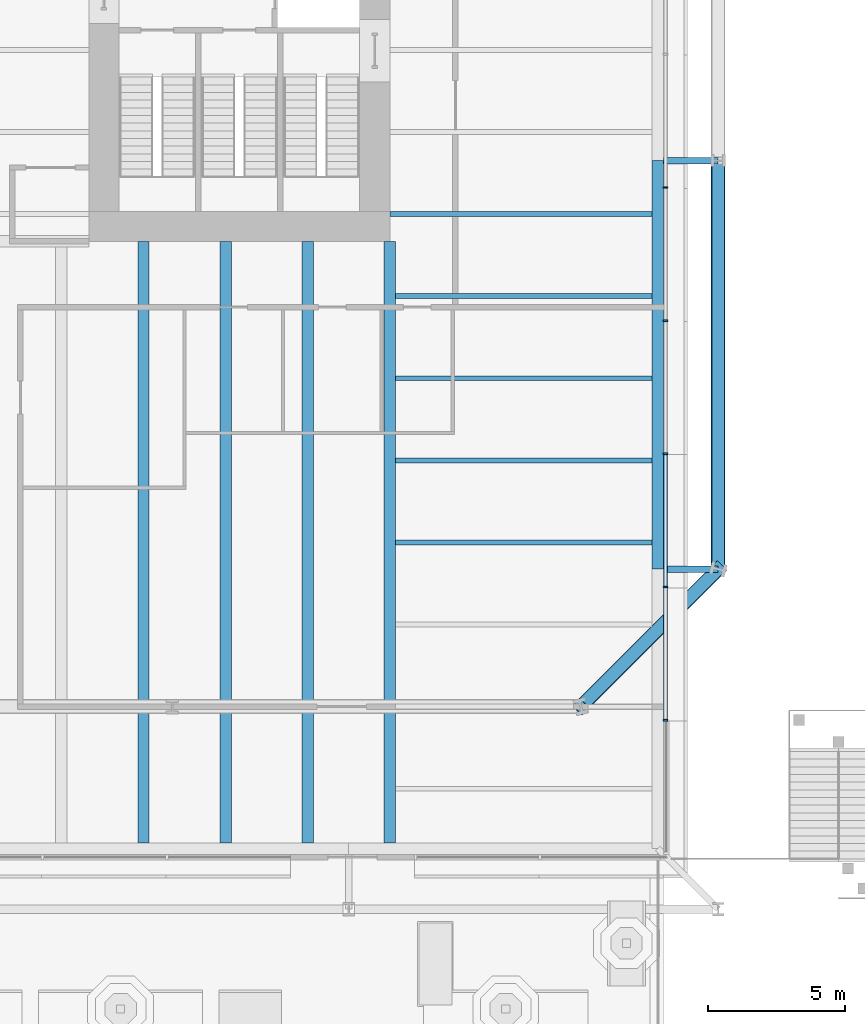
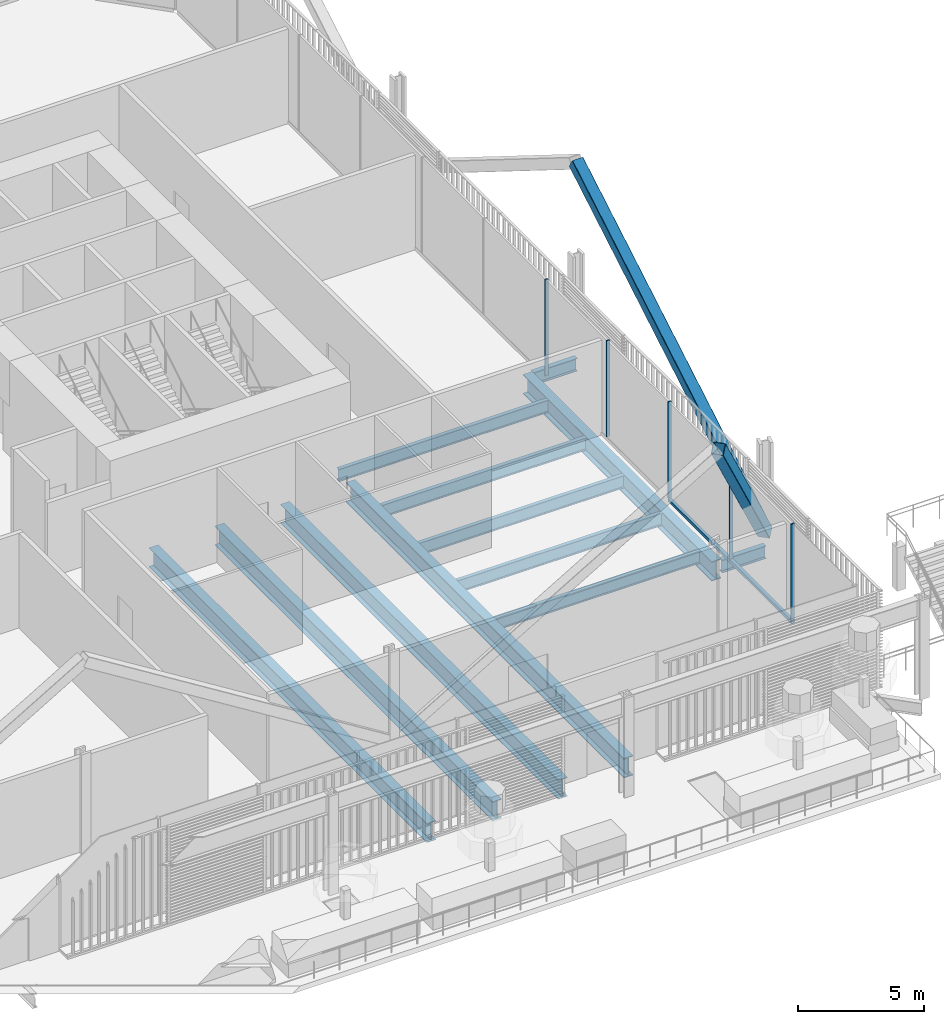
# One storey, part 6 of 26: 12 beams, 9 members, 2 elements without a shape of their own.
"""IFC4 building model written with IfcOpenShell, lengths in metres."""

from ifc_helpers import new_model, si_unit, direction, frame, origin, origin_2d, place, context, subcontext, project, spatial, rectangle, hollow_rectangle, i_section, extrude, material, layer, layer_set, material_profile, profile_set, type_object, element, aggregate, save


model = new_model("IFC4")

# Units and contexts
model_context = context("Model", 3, precision=1e-05, world=origin(), true_north=direction((0.0, 1.0)))
body_context = subcontext(model_context, "Body", "Model", "MODEL_VIEW")
ifc_project = project(units=[si_unit("LENGTHUNIT", "METRE"), si_unit("AREAUNIT", "SQUARE_METRE"), si_unit("VOLUMEUNIT", "CUBIC_METRE"), si_unit("PLANEANGLEUNIT", "RADIAN"), si_unit("MASSUNIT", "GRAM", prefix="KILO")], contexts=[model_context])

# Site, building, storey
site_placement = place(None, origin())
site = spatial("IfcSite", under=ifc_project, at=site_placement, CompositionType="ELEMENT")
building_placement = place(site_placement, origin())
building = spatial("IfcBuilding", under=site, at=building_placement, Name="Millrace Tower", CompositionType="ELEMENT")
storey_placement = place(building_placement, frame((0.0, 0.0, 11.300048828125)))
storey = spatial("IfcBuildingStorey", under=building, at=storey_placement, Name="L03", CompositionType="ELEMENT", Elevation=11.300048828125)

# Curtain wall, members
ifc_material_1 = material(Name="Aluminium and glass", Category="aluminium")
ifc_layer_1 = layer(ifc_material_1, 0.14990234375)
ifc_layer_set_1 = layer_set([ifc_layer_1], Name="Aluminium and glass")
curtain_wall_type_1 = type_object("IfcCurtainWallType", Name="CW-2 data hall insulated curtain wall", PredefinedType="NOTDEFINED", material=ifc_layer_set_1)
placement = place(storey_placement, origin())
curtain_wall_1 = element("IfcCurtainWall", 1, at=placement, inside=storey, type_object=curtain_wall_type_1, Name="Curtain wall AW3-F02 L03 CW2", PredefinedType="NOTDEFINED")
ifc_material_2 = material(Name="Aluminium", Category="aluminium")
ifc_material_profile_1 = material_profile(ifc_material_2, rectangle(XDim=0.06494140625, YDim=0.14990234375, at=origin_2d()))
ifc_profile_set_1 = profile_set([ifc_material_profile_1], Name="Aluminium")
member_type_1 = type_object("IfcMemberType", Name="CW-2 data hall insulated curtain wall mullion", PredefinedType="MULLION", material=ifc_profile_set_1)
member_1_placement = place(storey_placement, frame((25.074951171875, -27.499267578125, 0.159912109375), z_axis=(0.0, 0.0, 1.0), x_axis=(0.0, 1.0, 0.0)))
member_1 = element("IfcMember", 2, at=member_1_placement, type_object=member_type_1, Name="CW2 mullion AW3-F02.2", PredefinedType="MULLION", context=body_context, shape_type="SweptSolid", body=[
    extrude(rectangle(XDim=0.06494140625, YDim=0.14990234375, at=origin_2d()), origin(), (0.0, 0.0, 1.0), 4.64013671875),
])
member_2_placement = place(storey_placement, frame((25.074951171875, -17.762939453125, 0.159912109375), z_axis=(0.0, 0.0, 1.0), x_axis=(0.0, 1.0, 0.0)))
member_2 = element("IfcMember", 3, at=member_2_placement, type_object=member_type_1, Name="CW2 mullion AW3-F02.4", PredefinedType="MULLION", context=body_context, shape_type="SweptSolid", body=[
    extrude(rectangle(XDim=0.06494140625, YDim=0.14990234375, at=origin_2d()), origin(), (0.0, 0.0, 1.0), 4.64013671875),
])
member_3_placement = place(storey_placement, frame((25.074951171875, -12.894775390625, 0.159912109375), z_axis=(0.0, 0.0, 1.0), x_axis=(0.0, 1.0, 0.0)))
member_3 = element("IfcMember", 4, at=member_3_placement, type_object=member_type_1, Name="CW2 mullion AW3-F02.5", PredefinedType="MULLION", context=body_context, shape_type="SweptSolid", body=[
    extrude(rectangle(XDim=0.06494140625, YDim=0.14990234375, at=origin_2d()), origin(), (0.0, 0.0, 1.0), 4.64013671875),
])
member_4_placement = place(storey_placement, frame((25.074951171875, -8.026611328125, 0.159912109375), z_axis=(0.0, 0.0, 1.0), x_axis=(0.0, 1.0, 0.0)))
member_4 = element("IfcMember", 5, at=member_4_placement, type_object=member_type_1, Name="CW2 mullion AW3-F02.6", PredefinedType="MULLION", context=body_context, shape_type="SweptSolid", body=[
    extrude(rectangle(XDim=0.06494140625, YDim=0.14990234375, at=origin_2d()), origin(), (0.0, 0.0, 1.0), 4.64013671875),
])
ifc_material_3 = material(Name="Aluminium", Category="aluminium")
ifc_material_profile_2 = material_profile(ifc_material_3, rectangle(XDim=0.14990234375, YDim=0.159912109375, at=origin_2d()))
ifc_profile_set_2 = profile_set([ifc_material_profile_2], Name="Aluminium")
member_type_2 = type_object("IfcMemberType", Name="CW-2 data hall insulated curtain wall transom", PredefinedType="USERDEFINED", material=ifc_profile_set_2)
member_5_placement = place(storey_placement, frame((25.074951171875, -27.53173828125, 0.079833984375), z_axis=(0.0, 1.0, 0.0), x_axis=(-1.0, 0.0, 0.0)))
member_5 = element("IfcMember", 6, at=member_5_placement, type_object=member_type_2, Name="CW2 transom AW3-F02.2", ObjectType="TRANSOM", PredefinedType="USERDEFINED", context=body_context, shape_type="SweptSolid", body=[
    extrude(rectangle(XDim=0.14990234375, YDim=0.159912109375, at=origin_2d()), origin(), (0.0, 0.0, 1.0), 4.8681640625),
])
aggregate(curtain_wall_1, [member_1, member_2, member_3, member_4, member_5])

ifc_material_4 = material(Name="Aluminium and glass", Category="aluminium")
ifc_layer_2 = layer(ifc_material_4, 0.14990234375)
ifc_layer_set_2 = layer_set([ifc_layer_2], Name="Aluminium and glass")
curtain_wall_type_2 = type_object("IfcCurtainWallType", Name="CW-5 truss and plant storey louvred infill", PredefinedType="NOTDEFINED", material=ifc_layer_set_2)
curtain_wall_2 = element("IfcCurtainWall", 7, at=placement, inside=storey, type_object=curtain_wall_type_2, Name="Curtain wall AW3-F02 L03 CW5", PredefinedType="NOTDEFINED")
ifc_material_5 = material(Name="Aluminium", Category="aluminium")
ifc_material_profile_3 = material_profile(ifc_material_5, rectangle(XDim=0.06494140625, YDim=0.14990234375, at=origin_2d()))
ifc_profile_set_3 = profile_set([ifc_material_profile_3], Name="Aluminium")
member_type_3 = type_object("IfcMemberType", Name="CW-5 truss and plant storey louvred infill mullion", PredefinedType="MULLION", material=ifc_profile_set_3)
member_6_placement = place(storey_placement, frame((25.074951171875, -22.631103515625, 0.139892578125), z_axis=(0.0, 0.0, 1.0), x_axis=(0.0, 1.0, 0.0)))
member_6 = element("IfcMember", 8, at=member_6_placement, type_object=member_type_3, Name="CW5 mullion AW3-F02.3", PredefinedType="MULLION", context=body_context, shape_type="SweptSolid", body=[
    extrude(rectangle(XDim=0.06494140625, YDim=0.14990234375, at=origin_2d()), origin(), (0.0, 0.0, 1.0), 4.66015625),
])
ifc_material_6 = material(Name="Aluminium", Category="aluminium")
ifc_material_profile_4 = material_profile(ifc_material_6, rectangle(XDim=0.14990234375, YDim=0.139892578125, at=origin_2d()))
ifc_profile_set_4 = profile_set([ifc_material_profile_4], Name="Aluminium")
member_type_4 = type_object("IfcMemberType", Name="CW-5 truss and plant storey louvred infill transom", PredefinedType="USERDEFINED", material=ifc_profile_set_4)
member_7_placement = place(storey_placement, frame((25.074951171875, -22.66357421875, 0.070068359375), z_axis=(0.0, 1.0, 0.0), x_axis=(-1.0, 0.0, 0.0)))
member_7 = element("IfcMember", 9, at=member_7_placement, type_object=member_type_4, Name="CW5 transom AW3-F02.3", ObjectType="TRANSOM", PredefinedType="USERDEFINED", context=body_context, shape_type="SweptSolid", body=[
    extrude(rectangle(XDim=0.14990234375, YDim=0.139892578125, at=origin_2d()), origin(), (0.0, 0.0, 1.0), 4.8681640625),
])
aggregate(curtain_wall_2, [member_6, member_7])

# Members
ifc_material_7 = material(Name="Steel ASTM A500 Grade C", Category="steel")
ifc_material_profile_5 = material_profile(ifc_material_7, hollow_rectangle(XDim=0.508056640625, YDim=0.508056640625, WallThickness=0.022216796875, InnerFilletRadius=0.01123046875, OuterFilletRadius=0.033447265625, at=origin_2d()))
ifc_profile_set_5 = profile_set([ifc_material_profile_5], Name="Steel ASTM A500 Grade C")
member_type_5 = type_object("IfcMemberType", Name="Exoskeleton brace HSS20x20x7/8", PredefinedType="BRACE", material=ifc_profile_set_5)
member_8_placement = place(storey_placement, frame((27.0, -21.978515625, 0.39990234375), z_axis=(-0.444063713793, -0.444063713793, 0.77821259061), x_axis=(0.707106781187, -0.707106781187, 0.0)))
element("IfcMember", 10, at=member_8_placement, inside=storey, type_object=member_type_5, Name="BRC-A-L03-05", PredefinedType="BRACE", context=body_context, shape_type="SweptSolid", body=[
    extrude(hollow_rectangle(XDim=0.508056640625, YDim=0.508056640625, WallThickness=0.022216796875, InnerFilletRadius=0.01123046875, OuterFilletRadius=0.033447265625, at=origin_2d()), origin(), (0.0, 0.0, 1.0), 11.30810546875),
])
member_9_placement = place(storey_placement, frame((27.0, -21.978515625, 0.39990234375), z_axis=(0.0, 0.861464835883, 0.507817227491), x_axis=(-1.0, 0.0, 0.0)))
element("IfcMember", 11, at=member_9_placement, inside=storey, type_object=member_type_5, Name="BRC-A-L03-06", PredefinedType="BRACE", context=body_context, shape_type="SweptSolid", body=[
    extrude(hollow_rectangle(XDim=0.508056640625, YDim=0.508056640625, WallThickness=0.022216796875, InnerFilletRadius=0.01123046875, OuterFilletRadius=0.033447265625, at=origin_2d()), origin(), (0.0, 0.0, 1.0), 17.3291015625),
])

# Beams
ifc_material_8 = material(Name="Steel ASTM A992 Grade 50", Category="steel")
ifc_material_profile_6 = material_profile(ifc_material_8, i_section(OverallWidth=0.1787109375, OverallDepth=0.60205078125, WebThickness=0.010986328125, FlangeThickness=0.014892578125, FilletRadius=0.0126953125, at=origin_2d()))
ifc_profile_set_6 = profile_set([ifc_material_profile_6], Name="Steel ASTM A992 Grade 50")
beam_type_1 = type_object("IfcBeamType", Name="Floor beam W24x62", PredefinedType="JOIST", material=ifc_profile_set_6)
for number, where, z_axis, x_axis, name in (
    (12, (15.212158203125, -21.0, -0.526123046875), (1.0, 0.0, 0.0), (0.0, 1.0, 0.0), "BM-A-L03-S1-S010"),
    (13, (15.212158203125, -18.0, -0.526123046875), (1.0, 0.0, 0.0), (0.0, 1.0, 0.0), "BM-A-L03-S1-S012"),
    (14, (15.212158203125, -15.0, -0.526123046875), (1.0, 0.0, 0.0), (0.0, 1.0, 0.0), "BM-A-L03-S1-S014"),
    (15, (15.212158203125, -12.0, -0.526123046875), (1.0, 0.0, 0.0), (0.0, 1.0, 0.0), "BM-A-L03-S1-S016"),
):
    element("IfcBeam", number, at=place(storey_placement, frame(where, z_axis=z_axis, x_axis=x_axis)), inside=storey, type_object=beam_type_1, Name=name, PredefinedType="JOIST", context=body_context, shape_type="SweptSolid", body=[
        extrude(i_section(OverallWidth=0.1787109375, OverallDepth=0.60205078125, WebThickness=0.010986328125, FlangeThickness=0.014892578125, FilletRadius=0.0126953125, at=origin_2d()), origin(), (0.0, 0.0, 1.0), 9.3662109375),
    ])
beam_1_placement = place(storey_placement, frame((15.0, -9.0, -0.526123046875), z_axis=(1.0, 0.0, 0.0), x_axis=(0.0, 1.0, 0.0)))
element("IfcBeam", 16, at=beam_1_placement, inside=storey, type_object=beam_type_1, Name="BM-A-L03-S1-S019", PredefinedType="JOIST", context=body_context, shape_type="SweptSolid", body=[
    extrude(i_section(OverallWidth=0.1787109375, OverallDepth=0.60205078125, WebThickness=0.010986328125, FlangeThickness=0.014892578125, FilletRadius=0.0126953125, at=origin_2d()), origin(), (0.0, 0.0, 1.0), 9.578369140625),
])
ifc_material_9 = material(Name="Steel ASTM A992 Grade 50", Category="steel")
ifc_material_profile_7 = material_profile(ifc_material_9, i_section(OverallWidth=0.419189453125, OverallDepth=0.927001953125, WebThickness=0.019287109375, FlangeThickness=0.031982421875, FilletRadius=0.024169921875, at=origin_2d()))
ifc_profile_set_7 = profile_set([ifc_material_profile_7], Name="Steel ASTM A992 Grade 50")
beam_type_2 = type_object("IfcBeamType", Name="Floor beam W36x231", PredefinedType="JOIST", material=ifc_profile_set_7)
for number, where, z_axis, x_axis, name in (
    (17, (6.0, -31.978271484375, -0.688720703125), (0.0, 1.0, 0.0), (-1.0, 0.0, 0.0), "BM-A-L03-S1-S061"),
    (18, (9.0, -31.978271484375, -0.688720703125), (0.0, 1.0, 0.0), (-1.0, 0.0, 0.0), "BM-A-L03-S1-S063"),
    (19, (12.0, -31.978271484375, -0.688720703125), (0.0, 1.0, 0.0), (-1.0, 0.0, 0.0), "BM-A-L03-S1-S065"),
):
    element("IfcBeam", number, at=place(storey_placement, frame(where, z_axis=z_axis, x_axis=x_axis)), inside=storey, type_object=beam_type_2, Name=name, PredefinedType="JOIST", context=body_context, shape_type="SweptSolid", body=[
        extrude(i_section(OverallWidth=0.419189453125, OverallDepth=0.927001953125, WebThickness=0.019287109375, FlangeThickness=0.031982421875, FilletRadius=0.024169921875, at=origin_2d()), origin(), (0.0, 0.0, 1.0), 21.978271484375),
    ])
ifc_material_10 = material(Name="Steel ASTM A992 Grade 50", Category="steel")
ifc_material_profile_8 = material_profile(ifc_material_10, i_section(OverallWidth=0.421630859375, OverallDepth=0.95751953125, WebThickness=0.02587890625, FlangeThickness=0.046875, FilletRadius=0.024169921875, at=origin_2d()))
ifc_profile_set_8 = profile_set([ifc_material_profile_8], Name="Steel ASTM A992 Grade 50")
beam_type_3 = type_object("IfcBeamType", Name="Girder long span W36x330", PredefinedType="BEAM", material=ifc_profile_set_8)
beam_2_placement = place(storey_placement, frame((15.0, -31.978271484375, -0.703857421875), z_axis=(0.0, 1.0, 0.0), x_axis=(-1.0, 0.0, 0.0)))
element("IfcBeam", 20, at=beam_2_placement, inside=storey, type_object=beam_type_3, Name="BM-A-L03-S1-G069", PredefinedType="BEAM", context=body_context, shape_type="SweptSolid", body=[
    extrude(i_section(OverallWidth=0.421630859375, OverallDepth=0.95751953125, WebThickness=0.02587890625, FlangeThickness=0.046875, FilletRadius=0.024169921875, at=origin_2d()), origin(), (0.0, 0.0, 1.0), 21.978271484375),
])
ifc_material_11 = material(Name="Steel ASTM A992 Grade 50", Category="steel")
ifc_material_profile_9 = material_profile(ifc_material_11, i_section(OverallWidth=0.23046875, OverallDepth=0.6171875, WebThickness=0.01318359375, FlangeThickness=0.022216796875, FilletRadius=0.012939453125, at=origin_2d()))
ifc_profile_set_9 = profile_set([ifc_material_profile_9], Name="Steel ASTM A992 Grade 50")
beam_type_4 = type_object("IfcBeamType", Name="Link beam W24x94", PredefinedType="BEAM", material=ifc_profile_set_9)
for number, where, z_axis, x_axis, name in (
    (21, (25.0, -7.050048828125, -0.53369140625), (1.0, 0.0, 0.0), (0.0, 1.0, 0.0), "LNK-A-L03-S1-12"),
    (22, (25.0, -21.978515625, -0.53369140625), (1.0, 0.0, 0.0), (0.0, 1.0, 0.0), "LNK-A-L03-S1-13"),
):
    element("IfcBeam", number, at=place(storey_placement, frame(where, z_axis=z_axis, x_axis=x_axis)), inside=storey, type_object=beam_type_4, Name=name, PredefinedType="BEAM", context=body_context, shape_type="SweptSolid", body=[
        extrude(i_section(OverallWidth=0.23046875, OverallDepth=0.6171875, WebThickness=0.01318359375, FlangeThickness=0.022216796875, FilletRadius=0.012939453125, at=origin_2d()), origin(), (0.0, 0.0, 1.0), 2.0),
    ])
ifc_material_12 = material(Name="Steel ASTM A992 Grade 50", Category="steel")
ifc_material_profile_10 = material_profile(ifc_material_12, i_section(OverallWidth=0.421630859375, OverallDepth=0.937255859375, WebThickness=0.021240234375, FlangeThickness=0.03662109375, FilletRadius=0.024169921875, at=origin_2d()))
ifc_profile_set_10 = profile_set([ifc_material_profile_10], Name="Steel ASTM A992 Grade 50")
beam_type_5 = type_object("IfcBeamType", Name="Ring beam medium span W36x262", PredefinedType="SPANDREL", material=ifc_profile_set_10)
beam_3_placement = place(storey_placement, frame((24.7890625, -7.050048828125, -0.693603515625), z_axis=(0.0, -1.0, 0.0), x_axis=(1.0, 0.0, 0.0)))
element("IfcBeam", 23, at=beam_3_placement, inside=storey, type_object=beam_type_5, Name="RNG-A-L03-S1-12", PredefinedType="SPANDREL", context=body_context, shape_type="SweptSolid", body=[
    extrude(i_section(OverallWidth=0.421630859375, OverallDepth=0.937255859375, WebThickness=0.021240234375, FlangeThickness=0.03662109375, FilletRadius=0.024169921875, at=origin_2d()), origin(), (0.0, 0.0, 1.0), 14.928466796875),
])

save(model, "model.ifc")
